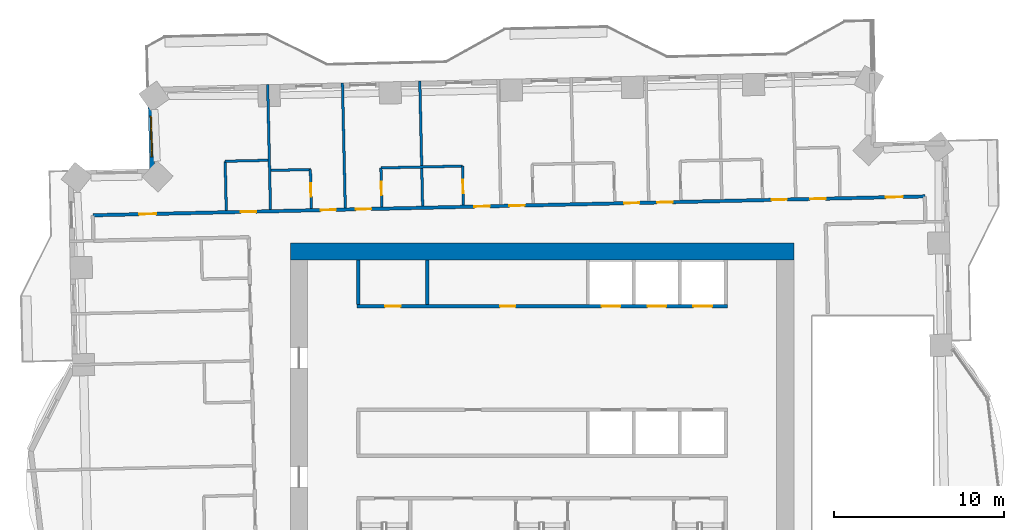
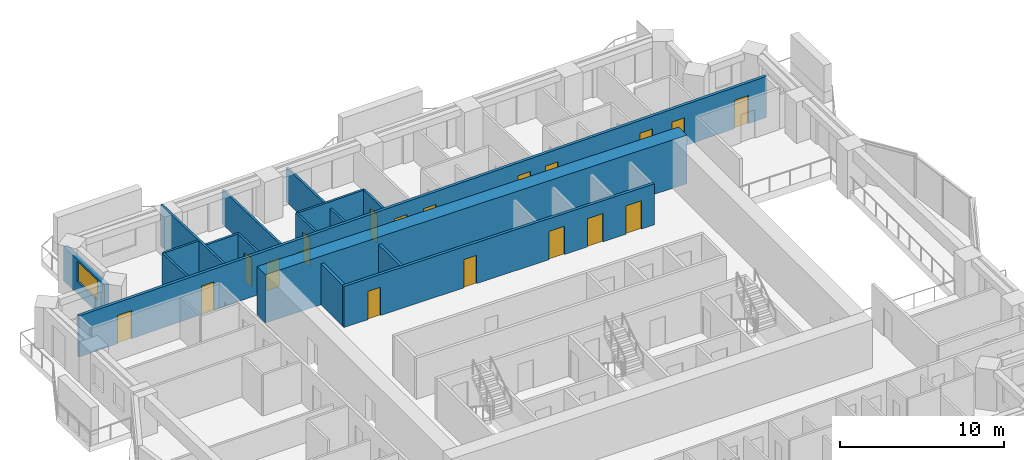
# One storey, part 10 of 16: 19 doors, 16 walls, 1 window, 20 openings.
"""IFC4 building model written with IfcOpenShell, lengths in metres."""

from ifc_helpers import new_model, si_unit, direction, frame, frame_2d, origin, place, context, subcontext, project, spatial, rectangle, extrude, material, layer, layer_set, type_object, element, fill, save


model = new_model("IFC4")

# Units and contexts
model_context = context("Model", 3, precision=1e-05, world=origin(), true_north=direction((0.0, 1.0)))
body_context = subcontext(model_context, "Body", "Model", "MODEL_VIEW")
ifc_project = project(units=[si_unit("LENGTHUNIT", "METRE"), si_unit("AREAUNIT", "SQUARE_METRE"), si_unit("VOLUMEUNIT", "CUBIC_METRE"), si_unit("PLANEANGLEUNIT", "RADIAN"), si_unit("MASSUNIT", "GRAM", prefix="KILO")], contexts=[model_context])

# Site, building, storey
site_placement = place(None, origin())
site = spatial("IfcSite", under=ifc_project, at=site_placement, CompositionType="ELEMENT")
building_placement = place(site_placement, origin())
building = spatial("IfcBuilding", under=site, at=building_placement, Name="Mangrove Gate Tower", CompositionType="ELEMENT")
storey_placement = place(building_placement, frame((0.0, 0.0, 137.300048828125)))
storey = spatial("IfcBuildingStorey", under=building, at=storey_placement, Name="L34", CompositionType="ELEMENT", Elevation=137.300048828125)

# Walls
ifc_material_1 = material(Name="Concrete C32/40", Category="concrete")
ifc_layer_1 = layer(ifc_material_1, 0.199951171875)
ifc_layer_set_1 = layer_set([ifc_layer_1], Name="Core room wall 200 C32/40")
wall_type_1 = type_object("IfcWallType", Name="Core room wall 200 C32/40", PredefinedType="STANDARD", material=ifc_layer_set_1)
for number, where, z_axis, x_axis, name in (
    (1, (-10.800048828125, 8.199951171875, 0.0), (0.0, 0.0, 1.0), (0.0, 1.0, 0.0), "WALL-L34-CORE-24"),
    (2, (-6.75, 8.199951171875, 0.0), (0.0, 0.0, 1.0), (0.0, 1.0, 0.0), "WALL-L34-CORE-25"),
):
    element("IfcWall", number, at=place(storey_placement, frame(where, z_axis=z_axis, x_axis=x_axis)), inside=storey, type_object=wall_type_1, Name=name, PredefinedType="STANDARD", context=body_context, shape_type="SweptSolid", body=[
        extrude(rectangle(XDim=2.60009765625, YDim=0.199951171875, at=frame_2d((1.300048828125, 0.0))), origin(), (0.0, 0.0, 1.0), 3.050048828125),
    ])

# Wall, openings, doors
ifc_material_2 = material(Name="Concrete C70/85", Category="concrete")
ifc_layer_2 = layer(ifc_material_2, 0.199951171875)
ifc_layer_set_2 = layer_set([ifc_layer_2], Name="Core shaft wall 200 C70/85")
wall_type_2 = type_object("IfcWallType", Name="Core shaft wall 200 C70/85", PredefinedType="SHEAR", material=ifc_layer_set_2)
wall_1_placement = place(storey_placement, frame((-10.89990234375, 8.10009765625, 0.0), z_axis=(0.0, 0.0, 1.0), x_axis=(1.0, 0.0, 0.0)))
wall_1 = element("IfcWall", 3, at=wall_1_placement, inside=storey, type_object=wall_type_2, Name="WALL-L34-CORE-8", PredefinedType="SHEAR", context=body_context, shape_type="SweptSolid", body=[
    extrude(rectangle(XDim=21.7998046875, YDim=0.199951171875, at=frame_2d((10.89990234375, 0.0))), origin(), (0.0, 0.0, 1.0), 3.050048828125),
])
opening_1_placement = place(wall_1_placement, frame((14.39990234375, 0.0, 0.0)))
opening_1 = element("IfcOpeningElement", 4, at=opening_1_placement, cuts=wall_1, Name="Opening LD", PredefinedType="OPENING", context=body_context, shape_type="SweptSolid", body=[
    extrude(rectangle(XDim=1.10009765625, YDim=2.10009765625, at=frame_2d((0.550048828125, 1.050048828125))), frame((0.0, 0.10986328125, 0.0), z_axis=(0.0, -1.0, 0.0), x_axis=(1.0, 0.0, 0.0)), (0.0, 0.0, 1.0), 0.219970703125),
])
opening_2_placement = place(wall_1_placement, frame((17.10009765625, 0.0, 0.0)))
opening_2 = element("IfcOpeningElement", 5, at=opening_2_placement, cuts=wall_1, Name="Opening LD", PredefinedType="OPENING", context=body_context, shape_type="SweptSolid", body=[
    extrude(rectangle(XDim=1.10009765625, YDim=2.10009765625, at=frame_2d((0.550048828125, 1.050048828125))), frame((0.0, 0.10986328125, 0.0), z_axis=(0.0, -1.0, 0.0), x_axis=(1.0, 0.0, 0.0)), (0.0, 0.0, 1.0), 0.219970703125),
])
opening_3_placement = place(wall_1_placement, frame((19.800048828125, 0.0, 0.0)))
opening_3 = element("IfcOpeningElement", 6, at=opening_3_placement, cuts=wall_1, Name="Opening LD", PredefinedType="OPENING", context=body_context, shape_type="SweptSolid", body=[
    extrude(rectangle(XDim=1.10009765625, YDim=2.10009765625, at=frame_2d((0.550048828125, 1.050048828125))), frame((0.0, 0.10986328125, 0.0), z_axis=(0.0, -1.0, 0.0), x_axis=(1.0, 0.0, 0.0)), (0.0, 0.0, 1.0), 0.219970703125),
])
opening_4_placement = place(wall_1_placement, frame((1.675048828125, 0.0, 0.0)))
opening_4 = element("IfcOpeningElement", 7, at=opening_4_placement, cuts=wall_1, Name="Opening KD", PredefinedType="OPENING", context=body_context, shape_type="SweptSolid", body=[
    extrude(rectangle(XDim=0.89990234375, YDim=2.10009765625, at=frame_2d((0.449951171875, 1.050048828125))), frame((0.0, 0.10986328125, 0.0), z_axis=(0.0, -1.0, 0.0), x_axis=(1.0, 0.0, 0.0)), (0.0, 0.0, 1.0), 0.219970703125),
])
opening_5_placement = place(wall_1_placement, frame((8.425048828125, 0.0, 0.0)))
opening_5 = element("IfcOpeningElement", 8, at=opening_5_placement, cuts=wall_1, Name="Opening KD", PredefinedType="OPENING", context=body_context, shape_type="SweptSolid", body=[
    extrude(rectangle(XDim=0.89990234375, YDim=2.10009765625, at=frame_2d((0.449951171875, 1.050048828125))), frame((0.0, 0.10986328125, 0.0), z_axis=(0.0, -1.0, 0.0), x_axis=(1.0, 0.0, 0.0)), (0.0, 0.0, 1.0), 0.219970703125),
])
ifc_material_3 = material(Name="Fire-rated steel door set", Category="steel")
door_type_1 = type_object("IfcDoorType", Name="Core room door FD30S 900x2100", OperationType="SINGLE_SWING_RIGHT", PredefinedType="DOOR", material=ifc_material_3)
door_1_placement = place(opening_4_placement, origin())
door_1 = element("IfcDoor", 9, at=door_1_placement, inside=storey, type_object=door_type_1, Name="Core room door Pantry store", OperationType="SINGLE_SWING_RIGHT", OverallHeight=2.10009765625, OverallWidth=0.89990234375, PredefinedType="DOOR", context=body_context, shape_type="SweptSolid", body=[
    extrude(rectangle(XDim=0.89990234375, YDim=2.10009765625, at=frame_2d((0.449951171875, 1.050048828125))), frame((0.0, 0.02490234375, 0.0), z_axis=(0.0, -1.0, 0.0), x_axis=(1.0, 0.0, 0.0)), (0.0, 0.0, 1.0), 0.050048828125),
])
fill(opening_4, door_1)
door_2_placement = place(opening_5_placement, origin())
door_2 = element("IfcDoor", 10, at=door_2_placement, inside=storey, type_object=door_type_1, Name="Core room door Cleaner's store", OperationType="SINGLE_SWING_RIGHT", OverallHeight=2.10009765625, OverallWidth=0.89990234375, PredefinedType="DOOR", context=body_context, shape_type="SweptSolid", body=[
    extrude(rectangle(XDim=0.89990234375, YDim=2.10009765625, at=frame_2d((0.449951171875, 1.050048828125))), frame((0.0, 0.02490234375, 0.0), z_axis=(0.0, -1.0, 0.0), x_axis=(1.0, 0.0, 0.0)), (0.0, 0.0, 1.0), 0.050048828125),
])
fill(opening_5, door_2)
ifc_material_4 = material(Name="Stainless steel 316", Category="steel")
door_type_2 = type_object("IfcDoorType", Name="Lift landing door 1100x2100", OperationType="SLIDING_TO_LEFT", PredefinedType="DOOR", material=ifc_material_4)
door_3_placement = place(opening_1_placement, origin())
door_3 = element("IfcDoor", 11, at=door_3_placement, inside=storey, type_object=door_type_2, Name="Landing door LD M04", OperationType="SLIDING_TO_LEFT", OverallHeight=2.10009765625, OverallWidth=1.10009765625, PredefinedType="DOOR", context=body_context, shape_type="SweptSolid", body=[
    extrude(rectangle(XDim=1.10009765625, YDim=2.10009765625, at=frame_2d((0.550048828125, 1.050048828125))), frame((0.0, 0.02490234375, 0.0), z_axis=(0.0, -1.0, 0.0), x_axis=(1.0, 0.0, 0.0)), (0.0, 0.0, 1.0), 0.050048828125),
])
fill(opening_1, door_3)
door_4_placement = place(opening_2_placement, origin())
door_4 = element("IfcDoor", 12, at=door_4_placement, inside=storey, type_object=door_type_2, Name="Landing door LD M05", OperationType="SLIDING_TO_LEFT", OverallHeight=2.10009765625, OverallWidth=1.10009765625, PredefinedType="DOOR", context=body_context, shape_type="SweptSolid", body=[
    extrude(rectangle(XDim=1.10009765625, YDim=2.10009765625, at=frame_2d((0.550048828125, 1.050048828125))), frame((0.0, 0.02490234375, 0.0), z_axis=(0.0, -1.0, 0.0), x_axis=(1.0, 0.0, 0.0)), (0.0, 0.0, 1.0), 0.050048828125),
])
fill(opening_2, door_4)
door_5_placement = place(opening_3_placement, origin())
door_5 = element("IfcDoor", 13, at=door_5_placement, inside=storey, type_object=door_type_2, Name="Landing door LD M06", OperationType="SLIDING_TO_LEFT", OverallHeight=2.10009765625, OverallWidth=1.10009765625, PredefinedType="DOOR", context=body_context, shape_type="SweptSolid", body=[
    extrude(rectangle(XDim=1.10009765625, YDim=2.10009765625, at=frame_2d((0.550048828125, 1.050048828125))), frame((0.0, 0.02490234375, 0.0), z_axis=(0.0, -1.0, 0.0), x_axis=(1.0, 0.0, 0.0)), (0.0, 0.0, 1.0), 0.050048828125),
])
fill(opening_3, door_5)

# Wall
ifc_material_5 = material(Name="Concrete C70/85", Category="concrete")
ifc_layer_3 = layer(ifc_material_5, 1.0)
ifc_layer_set_3 = layer_set([ifc_layer_3], Name="Core wall 1000 C70/85")
wall_type_3 = type_object("IfcWallType", Name="Core wall 1000 C70/85", PredefinedType="SHEAR", material=ifc_layer_set_3)
wall_2_placement = place(storey_placement, frame((-14.800048828125, 11.300048828125, 0.0), z_axis=(0.0, 0.0, 1.0), x_axis=(1.0, 0.0, 0.0)))
element("IfcWall", 14, at=wall_2_placement, inside=storey, type_object=wall_type_3, Name="WALL-L34-CORE-2", PredefinedType="SHEAR", context=body_context, shape_type="SweptSolid", body=[
    extrude(rectangle(XDim=29.60009765625, YDim=1.0, at=frame_2d((14.800048828125, 0.0))), origin(), (0.0, 0.0, 1.0), 3.599853515625),
])

# Wall, openings, doors
ifc_material_6 = material(Name="Gypsum board on steel stud, EI 60", Category="steel")
ifc_layer_4 = layer(ifc_material_6, 0.199951171875)
ifc_layer_set_4 = layer_set([ifc_layer_4], Name="Corridor wall EI 60")
wall_type_4 = type_object("IfcWallType", Name="Corridor wall EI 60", PredefinedType="PARTITIONING", material=ifc_layer_set_4)
wall_3_placement = place(storey_placement, frame((-26.4208984375, 13.44091796875, 0.0), z_axis=(0.0, 0.0, 1.0), x_axis=(0.999742754064, 0.022680954485, 0.0)))
wall_3 = element("IfcWall", 15, at=wall_3_placement, inside=storey, type_object=wall_type_4, Name="WALL-L34-060", PredefinedType="PARTITIONING", context=body_context, shape_type="SweptSolid", body=[
    extrude(rectangle(XDim=48.944580078125, YDim=0.199951171875, at=frame_2d((24.47216796875, 0.0))), origin(), (0.0, 0.0, 1.0), 3.050048828125),
])
opening_6_placement = place(wall_3_placement, frame((46.64697265625, 0.0, 0.0)))
opening_6 = element("IfcOpeningElement", 16, at=opening_6_placement, cuts=wall_3, Name="Opening AD", PredefinedType="OPENING", context=body_context, shape_type="SweptSolid", body=[
    extrude(rectangle(XDim=1.0, YDim=2.10009765625, at=frame_2d((0.5, 1.050048828125))), frame((0.0, 0.10986328125, 0.0), z_axis=(0.0, -1.0, 0.0), x_axis=(1.0, 0.0, 0.0)), (0.0, 0.0, 1.0), 0.219970703125),
])
opening_7_placement = place(wall_3_placement, frame((42.199951171875, 0.0, 0.0)))
opening_7 = element("IfcOpeningElement", 17, at=opening_7_placement, cuts=wall_3, Name="Opening SD", PredefinedType="OPENING", context=body_context, shape_type="SweptSolid", body=[
    extrude(rectangle(XDim=0.89990234375, YDim=2.10009765625, at=frame_2d((0.449951171875, 1.050048828125))), frame((0.0, 0.10986328125, 0.0), z_axis=(0.0, -1.0, 0.0), x_axis=(1.0, 0.0, 0.0)), (0.0, 0.0, 1.0), 0.219970703125),
])
opening_8_placement = place(wall_3_placement, frame((39.925048828125, 0.0, 0.0)))
opening_8 = element("IfcOpeningElement", 18, at=opening_8_placement, cuts=wall_3, Name="Opening BD", PredefinedType="OPENING", context=body_context, shape_type="SweptSolid", body=[
    extrude(rectangle(XDim=0.89990234375, YDim=2.10009765625, at=frame_2d((0.449951171875, 1.050048828125))), frame((0.0, 0.10986328125, 0.0), z_axis=(0.0, -1.0, 0.0), x_axis=(1.0, 0.0, 0.0)), (0.0, 0.0, 1.0), 0.219970703125),
])
opening_9_placement = place(wall_3_placement, frame((33.199951171875, 0.0, 0.0)))
opening_9 = element("IfcOpeningElement", 19, at=opening_9_placement, cuts=wall_3, Name="Opening BD", PredefinedType="OPENING", context=body_context, shape_type="SweptSolid", body=[
    extrude(rectangle(XDim=0.89990234375, YDim=2.10009765625, at=frame_2d((0.449951171875, 1.050048828125))), frame((0.0, 0.10986328125, 0.0), z_axis=(0.0, -1.0, 0.0), x_axis=(1.0, 0.0, 0.0)), (0.0, 0.0, 1.0), 0.219970703125),
])
opening_10_placement = place(wall_3_placement, frame((31.25, 0.0, 0.0)))
opening_10 = element("IfcOpeningElement", 20, at=opening_10_placement, cuts=wall_3, Name="Opening BD", PredefinedType="OPENING", context=body_context, shape_type="SweptSolid", body=[
    extrude(rectangle(XDim=0.89990234375, YDim=2.10009765625, at=frame_2d((0.449951171875, 1.050048828125))), frame((0.0, 0.10986328125, 0.0), z_axis=(0.0, -1.0, 0.0), x_axis=(1.0, 0.0, 0.0)), (0.0, 0.0, 1.0), 0.219970703125),
])
opening_11_placement = place(wall_3_placement, frame((24.5, 0.0, 0.0)))
opening_11 = element("IfcOpeningElement", 21, at=opening_11_placement, cuts=wall_3, Name="Opening BD", PredefinedType="OPENING", context=body_context, shape_type="SweptSolid", body=[
    extrude(rectangle(XDim=0.89990234375, YDim=2.10009765625, at=frame_2d((0.449951171875, 1.050048828125))), frame((0.0, 0.10986328125, 0.0), z_axis=(0.0, -1.0, 0.0), x_axis=(1.0, 0.0, 0.0)), (0.0, 0.0, 1.0), 0.219970703125),
])
opening_12_placement = place(wall_3_placement, frame((22.449951171875, 0.0, 0.0)))
opening_12 = element("IfcOpeningElement", 22, at=opening_12_placement, cuts=wall_3, Name="Opening BD", PredefinedType="OPENING", context=body_context, shape_type="SweptSolid", body=[
    extrude(rectangle(XDim=0.89990234375, YDim=2.10009765625, at=frame_2d((0.449951171875, 1.050048828125))), frame((0.0, 0.10986328125, 0.0), z_axis=(0.0, -1.0, 0.0), x_axis=(1.0, 0.0, 0.0)), (0.0, 0.0, 1.0), 0.219970703125),
])
opening_13_placement = place(wall_3_placement, frame((15.47509765625, 0.0, 0.0)))
opening_13 = element("IfcOpeningElement", 23, at=opening_13_placement, cuts=wall_3, Name="Opening BD", PredefinedType="OPENING", context=body_context, shape_type="SweptSolid", body=[
    extrude(rectangle(XDim=0.89990234375, YDim=2.10009765625, at=frame_2d((0.449951171875, 1.050048828125))), frame((0.0, 0.10986328125, 0.0), z_axis=(0.0, -1.0, 0.0), x_axis=(1.0, 0.0, 0.0)), (0.0, 0.0, 1.0), 0.219970703125),
])
opening_14_placement = place(wall_3_placement, frame((13.39990234375, 0.0, 0.0)))
opening_14 = element("IfcOpeningElement", 24, at=opening_14_placement, cuts=wall_3, Name="Opening BD", PredefinedType="OPENING", context=body_context, shape_type="SweptSolid", body=[
    extrude(rectangle(XDim=0.89990234375, YDim=2.10009765625, at=frame_2d((0.449951171875, 1.050048828125))), frame((0.0, 0.10986328125, 0.0), z_axis=(0.0, -1.0, 0.0), x_axis=(1.0, 0.0, 0.0)), (0.0, 0.0, 1.0), 0.219970703125),
])
opening_15_placement = place(wall_3_placement, frame((2.72509765625, 0.0, 0.0)))
opening_15 = element("IfcOpeningElement", 25, at=opening_15_placement, cuts=wall_3, Name="Opening AD", PredefinedType="OPENING", context=body_context, shape_type="SweptSolid", body=[
    extrude(rectangle(XDim=1.0, YDim=2.10009765625, at=frame_2d((0.5, 1.050048828125))), frame((0.0, 0.10986328125, 0.0), z_axis=(0.0, -1.0, 0.0), x_axis=(1.0, 0.0, 0.0)), (0.0, 0.0, 1.0), 0.219970703125),
])
opening_16_placement = place(wall_3_placement, frame((8.699951171875, 0.0, 0.0)))
opening_16 = element("IfcOpeningElement", 26, at=opening_16_placement, cuts=wall_3, Name="Opening SD", PredefinedType="OPENING", context=body_context, shape_type="SweptSolid", body=[
    extrude(rectangle(XDim=0.89990234375, YDim=2.10009765625, at=frame_2d((0.449951171875, 1.050048828125))), frame((0.0, 0.10986328125, 0.0), z_axis=(0.0, -1.0, 0.0), x_axis=(1.0, 0.0, 0.0)), (0.0, 0.0, 1.0), 0.219970703125),
])
ifc_material_7 = material(Name="Timber door leaf", Category="wood")
door_type_3 = type_object("IfcDoorType", Name="Amenity door 1000", OperationType="SINGLE_SWING_LEFT", PredefinedType="DOOR", material=ifc_material_7)
door_6_placement = place(opening_6_placement, origin())
door_6 = element("IfcDoor", 27, at=door_6_placement, inside=storey, type_object=door_type_3, Name="DOOR-L34-KIT-c3b", OperationType="SINGLE_SWING_RIGHT", OverallHeight=2.10009765625, OverallWidth=1.0, PredefinedType="DOOR", context=body_context, shape_type="SweptSolid", body=[
    extrude(rectangle(XDim=1.0, YDim=2.10009765625, at=frame_2d((0.5, 1.050048828125))), frame((0.0, 0.02490234375, 0.0), z_axis=(0.0, -1.0, 0.0), x_axis=(1.0, 0.0, 0.0)), (0.0, 0.0, 1.0), 0.050048828125),
])
fill(opening_6, door_6)
door_7_placement = place(opening_15_placement, origin())
door_7 = element("IfcDoor", 28, at=door_7_placement, inside=storey, type_object=door_type_3, Name="DOOR-L34-LNG-c5a", OperationType="SINGLE_SWING_LEFT", OverallHeight=2.10009765625, OverallWidth=1.0, PredefinedType="DOOR", context=body_context, shape_type="SweptSolid", body=[
    extrude(rectangle(XDim=1.0, YDim=2.10009765625, at=frame_2d((0.5, 1.050048828125))), frame((0.0, 0.02490234375, 0.0), z_axis=(0.0, -1.0, 0.0), x_axis=(1.0, 0.0, 0.0)), (0.0, 0.0, 1.0), 0.050048828125),
])
fill(opening_15, door_7)
ifc_material_8 = material(Name="Timber door leaf", Category="wood")
door_type_4 = type_object("IfcDoorType", Name="Bedroom door 900", OperationType="SINGLE_SWING_LEFT", PredefinedType="DOOR", material=ifc_material_8)
door_8_placement = place(opening_8_placement, origin())
door_8 = element("IfcDoor", 29, at=door_8_placement, inside=storey, type_object=door_type_4, Name="DOOR-L34-BED-c309", OperationType="SINGLE_SWING_LEFT", OverallHeight=2.10009765625, OverallWidth=0.89990234375, PredefinedType="DOOR", context=body_context, shape_type="SweptSolid", body=[
    extrude(rectangle(XDim=0.89990234375, YDim=2.10009765625, at=frame_2d((0.449951171875, 1.050048828125))), frame((0.0, 0.02490234375, 0.0), z_axis=(0.0, -1.0, 0.0), x_axis=(1.0, 0.0, 0.0)), (0.0, 0.0, 1.0), 0.050048828125),
])
fill(opening_8, door_8)
door_9_placement = place(opening_9_placement, origin())
door_9 = element("IfcDoor", 30, at=door_9_placement, inside=storey, type_object=door_type_4, Name="DOOR-L34-BED-c410", OperationType="SINGLE_SWING_RIGHT", OverallHeight=2.10009765625, OverallWidth=0.89990234375, PredefinedType="DOOR", context=body_context, shape_type="SweptSolid", body=[
    extrude(rectangle(XDim=0.89990234375, YDim=2.10009765625, at=frame_2d((0.449951171875, 1.050048828125))), frame((0.0, 0.02490234375, 0.0), z_axis=(0.0, -1.0, 0.0), x_axis=(1.0, 0.0, 0.0)), (0.0, 0.0, 1.0), 0.050048828125),
])
fill(opening_9, door_9)
door_10_placement = place(opening_10_placement, origin())
door_10 = element("IfcDoor", 31, at=door_10_placement, inside=storey, type_object=door_type_4, Name="DOOR-L34-BED-c411", OperationType="SINGLE_SWING_LEFT", OverallHeight=2.10009765625, OverallWidth=0.89990234375, PredefinedType="DOOR", context=body_context, shape_type="SweptSolid", body=[
    extrude(rectangle(XDim=0.89990234375, YDim=2.10009765625, at=frame_2d((0.449951171875, 1.050048828125))), frame((0.0, 0.02490234375, 0.0), z_axis=(0.0, -1.0, 0.0), x_axis=(1.0, 0.0, 0.0)), (0.0, 0.0, 1.0), 0.050048828125),
])
fill(opening_10, door_10)
door_11_placement = place(opening_11_placement, origin())
door_11 = element("IfcDoor", 32, at=door_11_placement, inside=storey, type_object=door_type_4, Name="DOOR-L34-BED-c412", OperationType="SINGLE_SWING_RIGHT", OverallHeight=2.10009765625, OverallWidth=0.89990234375, PredefinedType="DOOR", context=body_context, shape_type="SweptSolid", body=[
    extrude(rectangle(XDim=0.89990234375, YDim=2.10009765625, at=frame_2d((0.449951171875, 1.050048828125))), frame((0.0, 0.02490234375, 0.0), z_axis=(0.0, -1.0, 0.0), x_axis=(1.0, 0.0, 0.0)), (0.0, 0.0, 1.0), 0.050048828125),
])
fill(opening_11, door_11)
door_12_placement = place(opening_12_placement, origin())
door_12 = element("IfcDoor", 33, at=door_12_placement, inside=storey, type_object=door_type_4, Name="DOOR-L34-BED-c513", OperationType="SINGLE_SWING_LEFT", OverallHeight=2.10009765625, OverallWidth=0.89990234375, PredefinedType="DOOR", context=body_context, shape_type="SweptSolid", body=[
    extrude(rectangle(XDim=0.89990234375, YDim=2.10009765625, at=frame_2d((0.449951171875, 1.050048828125))), frame((0.0, 0.02490234375, 0.0), z_axis=(0.0, -1.0, 0.0), x_axis=(1.0, 0.0, 0.0)), (0.0, 0.0, 1.0), 0.050048828125),
])
fill(opening_12, door_12)
door_13_placement = place(opening_13_placement, origin())
door_13 = element("IfcDoor", 34, at=door_13_placement, inside=storey, type_object=door_type_4, Name="DOOR-L34-BED-c514", OperationType="SINGLE_SWING_RIGHT", OverallHeight=2.10009765625, OverallWidth=0.89990234375, PredefinedType="DOOR", context=body_context, shape_type="SweptSolid", body=[
    extrude(rectangle(XDim=0.89990234375, YDim=2.10009765625, at=frame_2d((0.449951171875, 1.050048828125))), frame((0.0, 0.02490234375, 0.0), z_axis=(0.0, -1.0, 0.0), x_axis=(1.0, 0.0, 0.0)), (0.0, 0.0, 1.0), 0.050048828125),
])
fill(opening_13, door_13)
door_14_placement = place(opening_14_placement, origin())
door_14 = element("IfcDoor", 35, at=door_14_placement, inside=storey, type_object=door_type_4, Name="DOOR-L34-BED-c515", OperationType="SINGLE_SWING_LEFT", OverallHeight=2.10009765625, OverallWidth=0.89990234375, PredefinedType="DOOR", context=body_context, shape_type="SweptSolid", body=[
    extrude(rectangle(XDim=0.89990234375, YDim=2.10009765625, at=frame_2d((0.449951171875, 1.050048828125))), frame((0.0, 0.02490234375, 0.0), z_axis=(0.0, -1.0, 0.0), x_axis=(1.0, 0.0, 0.0)), (0.0, 0.0, 1.0), 0.050048828125),
])
fill(opening_14, door_14)
ifc_material_9 = material(Name="Timber door leaf", Category="wood")
door_type_5 = type_object("IfcDoorType", Name="Service room door 900", OperationType="SINGLE_SWING_LEFT", PredefinedType="DOOR", material=ifc_material_9)
door_15_placement = place(opening_7_placement, origin())
door_15 = element("IfcDoor", 36, at=door_15_placement, inside=storey, type_object=door_type_5, Name="DOOR-L34-AWC-c3a", OperationType="SINGLE_SWING_LEFT", OverallHeight=2.10009765625, OverallWidth=0.89990234375, PredefinedType="DOOR", context=body_context, shape_type="SweptSolid", body=[
    extrude(rectangle(XDim=0.89990234375, YDim=2.10009765625, at=frame_2d((0.449951171875, 1.050048828125))), frame((0.0, 0.02490234375, 0.0), z_axis=(0.0, -1.0, 0.0), x_axis=(1.0, 0.0, 0.0)), (0.0, 0.0, 1.0), 0.050048828125),
])
fill(opening_7, door_15)
door_16_placement = place(opening_16_placement, origin())
door_16 = element("IfcDoor", 37, at=door_16_placement, inside=storey, type_object=door_type_5, Name="DOOR-L34-AWC-c5a", OperationType="SINGLE_SWING_RIGHT", OverallHeight=2.10009765625, OverallWidth=0.89990234375, PredefinedType="DOOR", context=body_context, shape_type="SweptSolid", body=[
    extrude(rectangle(XDim=0.89990234375, YDim=2.10009765625, at=frame_2d((0.449951171875, 1.050048828125))), frame((0.0, 0.02490234375, 0.0), z_axis=(0.0, -1.0, 0.0), x_axis=(1.0, 0.0, 0.0)), (0.0, 0.0, 1.0), 0.050048828125),
])
fill(opening_16, door_16)

# Wall, opening, window
ifc_material_10 = material(Name="Limestone", Category="masonry")
ifc_layer_5 = layer(ifc_material_10, 0.0400390625, Name="Limestone cladding")
ifc_material_11 = material(Name="Ventilated air gap")
ifc_layer_6 = layer(ifc_material_11, 0.0400390625, Name="Ventilated cavity")
ifc_material_12 = material(Name="Mineral wool insulation")
ifc_layer_7 = layer(ifc_material_12, 0.06005859375, Name="Insulation")
ifc_material_13 = material(Name="Breather membrane")
ifc_layer_8 = layer(ifc_material_13, 0.001953125, Name="Breather membrane")
ifc_material_14 = material(Name="Concrete C20/25 blockwork", Category="masonry")
ifc_layer_9 = layer(ifc_material_14, 0.14990234375, Name="Blockwork backing wall")
ifc_material_15 = material(Name="Gypsum plaster")
ifc_layer_10 = layer(ifc_material_15, 0.008056640625, Name="Internal plaster")
ifc_layer_set_5 = layer_set([ifc_layer_5, ifc_layer_6, ifc_layer_7, ifc_layer_8, ifc_layer_9, ifc_layer_10], Name="External wall 300 limestone cladding")
wall_type_5 = type_object("IfcWallType", Name="External wall 300 limestone cladding", PredefinedType="SOLIDWALL", material=ifc_layer_set_5)
wall_4_placement = place(storey_placement, frame((-23.037109375, 20.819091796875, 0.0), z_axis=(0.0, 0.0, 1.0), x_axis=(0.022738738327, -0.999741441463, 0.0)))
wall_4 = element("IfcWall", 38, at=wall_4_placement, inside=storey, type_object=wall_type_5, Name="WALL-L34-W6", PredefinedType="SOLIDWALL", context=body_context, shape_type="SweptSolid", body=[
    extrude(rectangle(XDim=4.79931640625, YDim=0.300048828125, at=frame_2d((2.399658203125, 0.0))), origin(), (0.0, 0.0, 1.0), 2.550048828125),
])
opening_17_placement = place(wall_4_placement, frame((1.541015625, 0.0, 0.89990234375)))
opening_17 = element("IfcOpeningElement", 39, at=opening_17_placement, cuts=wall_4, Name="Opening W2", PredefinedType="OPENING", context=body_context, shape_type="SweptSolid", body=[
    extrude(rectangle(XDim=2.39990234375, YDim=1.5, at=frame_2d((1.199951171875, 0.75))), frame((0.0, 0.159912109375, 0.0), z_axis=(0.0, -1.0, 0.0), x_axis=(1.0, 0.0, 0.0)), (0.0, 0.0, 1.0), 0.320068359375),
])
ifc_material_16 = material(Name="Aluminium frame with double-glazed low-e glass", Category="aluminium")
window_type = type_object("IfcWindowType", Name="Corner room window 2400x1500", PartitioningType="DOUBLE_PANEL_VERTICAL", PredefinedType="WINDOW", material=ifc_material_16)
window_placement = place(opening_17_placement, origin())
window = element("IfcWindow", 40, at=window_placement, inside=storey, type_object=window_type, Name="WIN-L34-W6-1", OverallHeight=1.5, OverallWidth=2.39990234375, PartitioningType="DOUBLE_PANEL_VERTICAL", PredefinedType="WINDOW", context=body_context, shape_type="SweptSolid", body=[
    extrude(rectangle(XDim=2.39990234375, YDim=1.5, at=frame_2d((1.199951171875, 0.75))), frame((0.0, 0.030029296875, 0.0), z_axis=(0.0, -1.0, 0.0), x_axis=(1.0, 0.0, 0.0)), (0.0, 0.0, 1.0), 0.06005859375),
])
fill(opening_17, window)

# Walls
ifc_material_17 = material(Name="Gypsum board on steel stud, EI 60", Category="steel")
ifc_layer_11 = layer(ifc_material_17, 0.14990234375)
ifc_layer_set_6 = layer_set([ifc_layer_11], Name="Party wall 150 EI 60")
wall_type_6 = type_object("IfcWallType", Name="Party wall 150 EI 60", PredefinedType="PARTITIONING", material=ifc_layer_set_6)
wall_5_placement = place(storey_placement, frame((-18.572998046875, 13.718994140625, 0.0), z_axis=(0.0, 0.0, 1.0), x_axis=(-0.022732880677, 0.999741574676, 0.0)))
element("IfcWall", 41, at=wall_5_placement, inside=storey, type_object=wall_type_6, Name="WALL-L34-061", PredefinedType="PARTITIONING", context=body_context, shape_type="SweptSolid", body=[
    extrude(rectangle(XDim=2.899658203125, YDim=0.14990234375, at=frame_2d((1.44970703125, 0.0))), origin(), (0.0, 0.0, 1.0), 3.050048828125),
])
wall_6_placement = place(storey_placement, frame((-15.97412109375, 13.778076171875, 0.0), z_axis=(0.0, 0.0, 1.0), x_axis=(-0.022554648976, 0.999745611548, 0.0)))
element("IfcWall", 42, at=wall_6_placement, inside=storey, type_object=wall_type_6, Name="WALL-L34-062", PredefinedType="PARTITIONING", context=body_context, shape_type="SweptSolid", body=[
    extrude(rectangle(XDim=7.349853515625, YDim=0.14990234375, at=frame_2d((3.6748046875, 0.0))), origin(), (0.0, 0.0, 1.0), 3.050048828125),
])

# Wall, opening, door
wall_7_placement = place(storey_placement, frame((-13.573974609375, 13.83203125, 0.0), z_axis=(0.0, 0.0, 1.0), x_axis=(-0.023027540424, 0.999734831034, 0.0)))
wall_7 = element("IfcWall", 43, at=wall_7_placement, inside=storey, type_object=wall_type_6, Name="WALL-L34-063", PredefinedType="PARTITIONING", context=body_context, shape_type="SweptSolid", body=[
    extrude(rectangle(XDim=2.300537109375, YDim=0.14990234375, at=frame_2d((1.150390625, 0.0))), origin(), (0.0, 0.0, 1.0), 3.050048828125),
])
opening_18_placement = place(wall_7_placement, frame((0.699951171875, 0.0, 0.0)))
opening_18 = element("IfcOpeningElement", 44, at=opening_18_placement, cuts=wall_7, Name="Opening ED", PredefinedType="OPENING", context=body_context, shape_type="SweptSolid", body=[
    extrude(rectangle(XDim=0.800048828125, YDim=2.10009765625, at=frame_2d((0.39990234375, 1.050048828125))), frame((0.0, 0.0849609375, 0.0), z_axis=(0.0, -1.0, 0.0), x_axis=(1.0, 0.0, 0.0)), (0.0, 0.0, 1.0), 0.169921875),
])
ifc_material_18 = material(Name="Timber door leaf", Category="wood")
door_type_6 = type_object("IfcDoorType", Name="En-suite door 800", OperationType="SINGLE_SWING_LEFT", PredefinedType="DOOR", material=ifc_material_18)
door_17_placement = place(opening_18_placement, origin())
door_17 = element("IfcDoor", 45, at=door_17_placement, inside=storey, type_object=door_type_6, Name="DOOR-L34-ENS-c515", OperationType="SINGLE_SWING_LEFT", OverallHeight=2.10009765625, OverallWidth=0.800048828125, PredefinedType="DOOR", context=body_context, shape_type="SweptSolid", body=[
    extrude(rectangle(XDim=0.800048828125, YDim=2.10009765625, at=frame_2d((0.39990234375, 1.050048828125))), frame((0.0, 0.02490234375, 0.0), z_axis=(0.0, -1.0, 0.0), x_axis=(1.0, 0.0, 0.0)), (0.0, 0.0, 1.0), 0.050048828125),
])
fill(opening_18, door_17)

# Wall
wall_8_placement = place(storey_placement, frame((-11.574951171875, 13.8779296875, 0.0), z_axis=(0.0, 0.0, 1.0), x_axis=(-0.022719896304, 0.99974186984, 0.0)))
element("IfcWall", 46, at=wall_8_placement, inside=storey, type_object=wall_type_6, Name="WALL-L34-064", PredefinedType="PARTITIONING", context=body_context, shape_type="SweptSolid", body=[
    extrude(rectangle(XDim=7.35009765625, YDim=0.14990234375, at=frame_2d((3.675048828125, 0.0))), origin(), (0.0, 0.0, 1.0), 2.550048828125),
])

# Wall, opening, door
wall_9_placement = place(storey_placement, frame((-9.425048828125, 13.926025390625, 0.0), z_axis=(0.0, 0.0, 1.0), x_axis=(-0.023027540424, 0.999734831034, 0.0)))
wall_9 = element("IfcWall", 47, at=wall_9_placement, inside=storey, type_object=wall_type_6, Name="WALL-L34-065", PredefinedType="PARTITIONING", context=body_context, shape_type="SweptSolid", body=[
    extrude(rectangle(XDim=2.300537109375, YDim=0.14990234375, at=frame_2d((1.150390625, 0.0))), origin(), (0.0, 0.0, 1.0), 3.050048828125),
])
opening_19_placement = place(wall_9_placement, frame((0.699951171875, 0.0, 0.0)))
opening_19 = element("IfcOpeningElement", 48, at=opening_19_placement, cuts=wall_9, Name="Opening ED", PredefinedType="OPENING", context=body_context, shape_type="SweptSolid", body=[
    extrude(rectangle(XDim=0.800048828125, YDim=2.10009765625, at=frame_2d((0.39990234375, 1.050048828125))), frame((0.0, 0.0849609375, 0.0), z_axis=(0.0, -1.0, 0.0), x_axis=(1.0, 0.0, 0.0)), (0.0, 0.0, 1.0), 0.169921875),
])
door_18_placement = place(opening_19_placement, origin())
door_18 = element("IfcDoor", 49, at=door_18_placement, inside=storey, type_object=door_type_6, Name="DOOR-L34-ENS-c514", OperationType="SINGLE_SWING_RIGHT", OverallHeight=2.10009765625, OverallWidth=0.800048828125, PredefinedType="DOOR", context=body_context, shape_type="SweptSolid", body=[
    extrude(rectangle(XDim=0.800048828125, YDim=2.10009765625, at=frame_2d((0.39990234375, 1.050048828125))), frame((0.0, 0.02490234375, 0.0), z_axis=(0.0, -1.0, 0.0), x_axis=(1.0, 0.0, 0.0)), (0.0, 0.0, 1.0), 0.050048828125),
])
fill(opening_19, door_18)

# Wall
wall_10_placement = place(storey_placement, frame((-7.02587890625, 13.98095703125, 0.0), z_axis=(0.0, 0.0, 1.0), x_axis=(-0.022753095343, 0.999741114815, 0.0)))
element("IfcWall", 50, at=wall_10_placement, inside=storey, type_object=wall_type_6, Name="WALL-L34-066", PredefinedType="PARTITIONING", context=body_context, shape_type="SweptSolid", body=[
    extrude(rectangle(XDim=7.35009765625, YDim=0.14990234375, at=frame_2d((3.675048828125, 0.0))), origin(), (0.0, 0.0, 1.0), 2.550048828125),
])

# Wall, opening, door
wall_11_placement = place(storey_placement, frame((-4.626953125, 14.034912109375, 0.0), z_axis=(0.0, 0.0, 1.0), x_axis=(-0.022603288534, 0.999744513037, 0.0)))
wall_11 = element("IfcWall", 51, at=wall_11_placement, inside=storey, type_object=wall_type_6, Name="WALL-L34-067", PredefinedType="PARTITIONING", context=body_context, shape_type="SweptSolid", body=[
    extrude(rectangle(XDim=2.300537109375, YDim=0.14990234375, at=frame_2d((1.150390625, 0.0))), origin(), (0.0, 0.0, 1.0), 3.050048828125),
])
opening_20_placement = place(wall_11_placement, frame((0.699951171875, 0.0, 0.0)))
opening_20 = element("IfcOpeningElement", 52, at=opening_20_placement, cuts=wall_11, Name="Opening ED", PredefinedType="OPENING", context=body_context, shape_type="SweptSolid", body=[
    extrude(rectangle(XDim=0.800048828125, YDim=2.10009765625, at=frame_2d((0.39990234375, 1.050048828125))), frame((0.0, 0.0849609375, 0.0), z_axis=(0.0, -1.0, 0.0), x_axis=(1.0, 0.0, 0.0)), (0.0, 0.0, 1.0), 0.169921875),
])
door_19_placement = place(opening_20_placement, origin())
door_19 = element("IfcDoor", 53, at=door_19_placement, inside=storey, type_object=door_type_6, Name="DOOR-L34-ENS-c513", OperationType="SINGLE_SWING_LEFT", OverallHeight=2.10009765625, OverallWidth=0.800048828125, PredefinedType="DOOR", context=body_context, shape_type="SweptSolid", body=[
    extrude(rectangle(XDim=0.800048828125, YDim=2.10009765625, at=frame_2d((0.39990234375, 1.050048828125))), frame((0.0, 0.02490234375, 0.0), z_axis=(0.0, -1.0, 0.0), x_axis=(1.0, 0.0, 0.0)), (0.0, 0.0, 1.0), 0.050048828125),
])
fill(opening_20, door_19)

# Walls
wall_12_placement = place(storey_placement, frame((-15.952880859375, 16.0791015625, 0.0), z_axis=(0.0, 0.0, 1.0), x_axis=(0.999740260747, 0.02279059109, 0.0)))
element("IfcWall", 54, at=wall_12_placement, inside=storey, type_object=wall_type_6, Name="WALL-L34-078", PredefinedType="PARTITIONING", context=body_context, shape_type="SweptSolid", body=[
    extrude(rectangle(XDim=2.324462890625, YDim=0.14990234375, at=frame_2d((1.162109375, 0.0))), origin(), (0.0, 0.0, 1.0), 3.050048828125),
])
wall_13_placement = place(storey_placement, frame((-9.47998046875, 16.22607421875, 0.0), z_axis=(0.0, 0.0, 1.0), x_axis=(0.999742701292, 0.022683280499, 0.0)))
element("IfcWall", 55, at=wall_13_placement, inside=storey, type_object=wall_type_6, Name="WALL-L34-079", PredefinedType="PARTITIONING", context=body_context, shape_type="SweptSolid", body=[
    extrude(rectangle(XDim=4.80029296875, YDim=0.14990234375, at=frame_2d((2.400146484375, 0.0))), origin(), (0.0, 0.0, 1.0), 3.050048828125),
])
wall_14_placement = place(storey_placement, frame((-18.64111328125, 16.617919921875, 0.0), z_axis=(0.0, 0.0, 1.0), x_axis=(0.999744175585, 0.022618209135, 0.0)))
element("IfcWall", 56, at=wall_14_placement, inside=storey, type_object=wall_type_6, Name="WALL-L34-082", PredefinedType="PARTITIONING", context=body_context, shape_type="SweptSolid", body=[
    extrude(rectangle(XDim=2.52587890625, YDim=0.14990234375, at=frame_2d((1.262939453125, 0.0))), origin(), (0.0, 0.0, 1.0), 3.050048828125),
])

save(model, "model.ifc")
